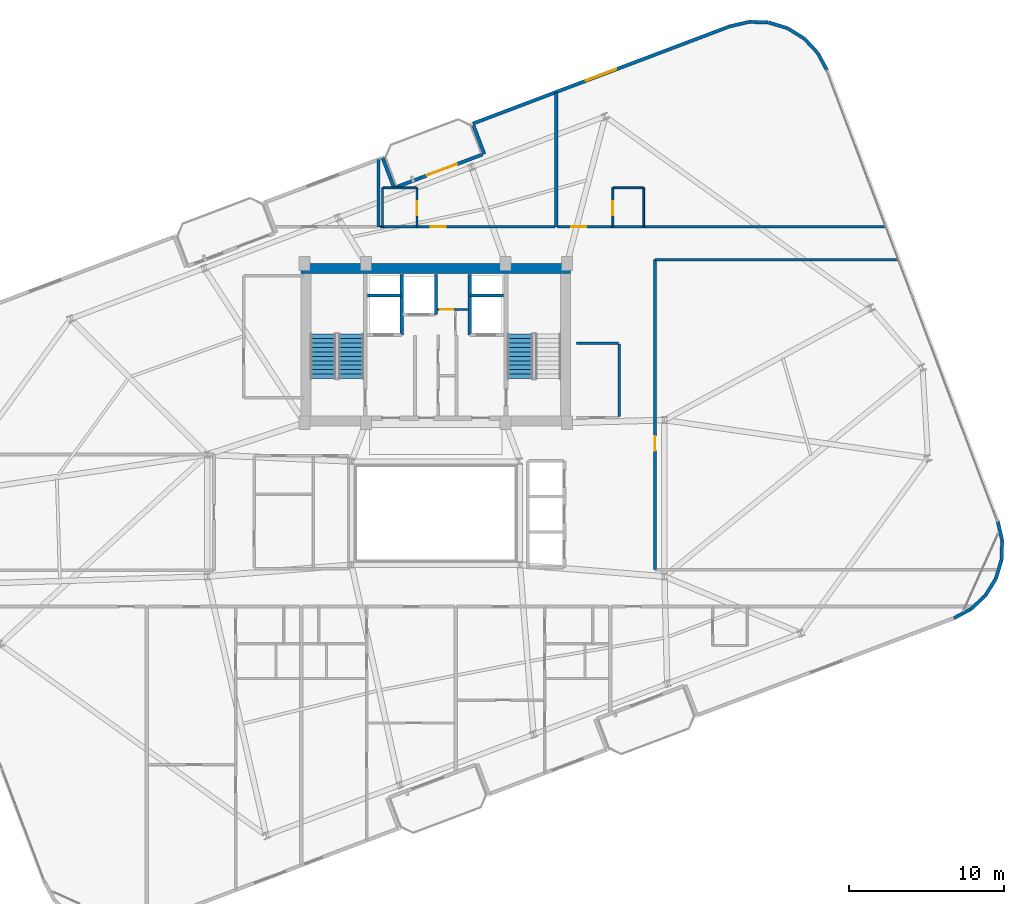
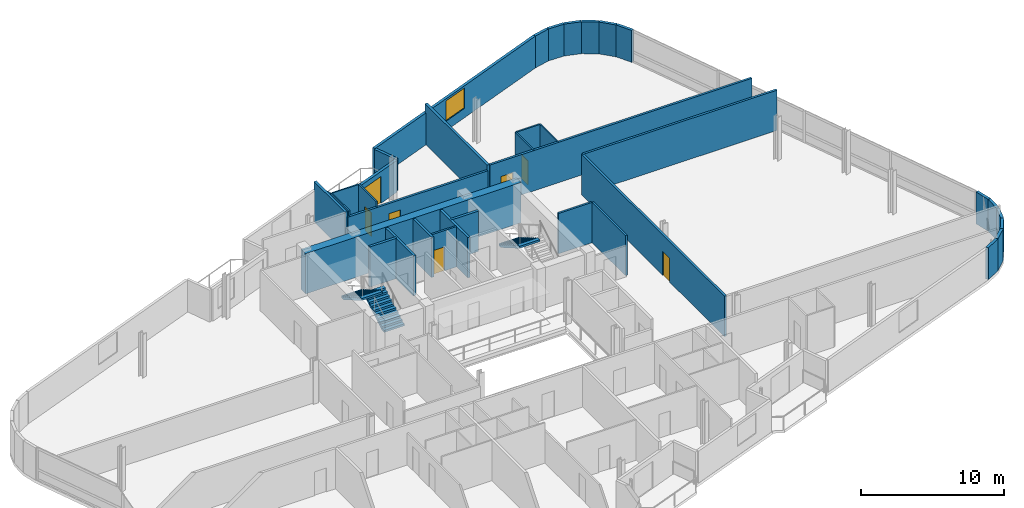
# One storey, part 21 of 24: 37 walls, 7 doors, 3 stair flights, 1 window, 8 openings, 2 elements without a shape of their own.
"""IFC4 building model written with IfcOpenShell, lengths in metres."""

from ifc_helpers import new_model, si_unit, direction, frame, frame_2d, origin, place, context, subcontext, project, spatial, polyline, rectangle, outline, extrude, material, layer, layer_set, type_object, element, fill, aggregate, save


model = new_model("IFC4")

# Units and contexts
model_context = context("Model", 3, precision=1e-05, world=origin(), true_north=direction((0.0, 1.0)))
body_context = subcontext(model_context, "Body", "Model", "MODEL_VIEW")
ifc_project = project(units=[si_unit("LENGTHUNIT", "METRE"), si_unit("AREAUNIT", "SQUARE_METRE"), si_unit("VOLUMEUNIT", "CUBIC_METRE"), si_unit("PLANEANGLEUNIT", "RADIAN"), si_unit("MASSUNIT", "GRAM", prefix="KILO")], contexts=[model_context])

# Site, building, storey
site_placement = place(None, origin())
site = spatial("IfcSite", under=ifc_project, at=site_placement, CompositionType="ELEMENT")
building_placement = place(site_placement, origin())
building = spatial("IfcBuilding", under=site, at=building_placement, Name="Varnelok Gate Tower", CompositionType="ELEMENT")
storey_placement = place(building_placement, frame((0.0, 0.0, 212.699951171875)))
storey = spatial("IfcBuildingStorey", under=building, at=storey_placement, Name="L54", CompositionType="ELEMENT", Elevation=212.699951171875)

# Wall, opening, door
ifc_material_1 = material(Name="Concrete C45/55", Category="concrete")
ifc_layer_1 = layer(ifc_material_1, 0.219970703125)
ifc_layer_set_1 = layer_set([ifc_layer_1], Name="Concrete C45/55")
wall_type_1 = type_object("IfcWallType", Name="EW-BALC-220", PredefinedType="SOLIDWALL", material=ifc_layer_set_1)
wall_1_placement = place(storey_placement, frame((36.61669921875, 43.98583984375, 0.0), z_axis=(0.0, 0.0, 1.0), x_axis=(0.935227640088, 0.354046976001, 0.0)))
wall_1 = element("IfcWall", 1, at=wall_1_placement, inside=storey, type_object=wall_type_1, Name="L54 North Terrace Envelope Wall 4", PredefinedType="SOLIDWALL", context=body_context, shape_type="SweptSolid", body=[
    extrude(rectangle(XDim=6.0, YDim=0.219970703125, at=frame_2d((3.0, 0.0))), origin(), (0.0, 0.0, 1.0), 2.72998046875),
])
opening_1_placement = place(wall_1_placement, frame((2.135986328125, 0.0, 0.0)))
opening_1 = element("IfcOpeningElement", 2, at=opening_1_placement, cuts=wall_1, Name="Opening BD-2", PredefinedType="OPENING", context=body_context, shape_type="SweptSolid", body=[
    extrude(rectangle(XDim=2.10009765625, YDim=2.300048828125, at=frame_2d((1.050048828125, 1.14990234375))), frame((0.0, 0.119873046875, 0.0), z_axis=(0.0, -1.0, 0.0), x_axis=(1.0, 0.0, 0.0)), (0.0, 0.0, 1.0), 0.239990234375),
])
ifc_material_2 = material(Name="Anodized Aluminum Alloy 6063-T6", Category="aluminium")
door_type_1 = type_object("IfcDoorType", Name="DR-EXT-SLID2100", OperationType="SLIDING_TO_LEFT", PredefinedType="DOOR", material=ifc_material_2)
door_1_placement = place(opening_1_placement, origin())
door_1 = element("IfcDoor", 3, at=door_1_placement, inside=storey, type_object=door_type_1, Name="L54 North Balcony Glazed Door 4", OperationType="SLIDING_TO_LEFT", OverallHeight=2.300048828125, OverallWidth=2.10009765625, PredefinedType="DOOR", context=body_context, shape_type="SweptSolid", body=[
    extrude(rectangle(XDim=2.10009765625, YDim=2.300048828125, at=frame_2d((1.050048828125, 1.14990234375))), frame((0.0, 0.02490234375, 0.0), z_axis=(0.0, -1.0, 0.0), x_axis=(1.0, 0.0, 0.0)), (0.0, 0.0, 1.0), 0.050048828125),
])
fill(opening_1, door_1)

# Walls
wall_2_placement = place(storey_placement, frame((72.74560546875, 16.10498046875, 0.0), z_axis=(0.0, 0.0, 1.0), x_axis=(0.881112879796, 0.472906008693, 0.0)))
element("IfcWall", 4, at=wall_2_placement, inside=storey, type_object=wall_type_1, Name="L54 Perimeter Facade Closure Wall 14", PredefinedType="SOLIDWALL", context=body_context, shape_type="SweptSolid", body=[
    extrude(rectangle(XDim=1.256591796875, YDim=0.219970703125, at=frame_2d((0.62841796875, 0.0))), origin(), (0.0, 0.0, 1.0), 2.72998046875),
])
wall_3_placement = place(storey_placement, frame((73.870849609375, 16.716552734375, 0.0), z_axis=(0.0, 0.0, 1.0), x_axis=(0.728475443486, 0.685071914647, 0.0)))
element("IfcWall", 5, at=wall_3_placement, inside=storey, type_object=wall_type_1, Name="L54 Perimeter Facade Closure Wall 15", PredefinedType="SOLIDWALL", context=body_context, shape_type="SweptSolid", body=[
    extrude(rectangle(XDim=1.248779296875, YDim=0.219970703125, at=frame_2d((0.62451171875, 0.0))), origin(), (0.0, 0.0, 1.0), 2.72998046875),
])
for number, where, z_axis, x_axis, name in (
    (6, (74.793701171875, 17.59326171875, 0.0), (0.0, 0.0, 1.0), (0.526549805576, 0.850144283194, 0.0), "L54 Perimeter Facade Closure Wall 16"),
    (7, (75.458251953125, 18.6787109375, 0.0), (0.0, 0.0, 1.0), (0.288406081086, 0.957508189204, 0.0), "L54 Perimeter Facade Closure Wall 17"),
):
    element("IfcWall", number, at=place(storey_placement, frame(where, z_axis=z_axis, x_axis=x_axis)), inside=storey, type_object=wall_type_1, Name=name, PredefinedType="SOLIDWALL", context=body_context, shape_type="SweptSolid", body=[
        extrude(rectangle(XDim=1.24853515625, YDim=0.219970703125, at=frame_2d((0.624267578125, 0.0))), origin(), (0.0, 0.0, 1.0), 2.72998046875),
    ])
wall_4_placement = place(storey_placement, frame((75.819091796875, 19.8994140625, 0.0), z_axis=(0.0, 0.0, 1.0), x_axis=(0.030898954628, 0.999522513305, 0.0)))
element("IfcWall", 8, at=wall_4_placement, inside=storey, type_object=wall_type_1, Name="L54 Perimeter Facade Closure Wall 18", PredefinedType="SOLIDWALL", context=body_context, shape_type="SweptSolid", body=[
    extrude(rectangle(XDim=1.248291015625, YDim=0.219970703125, at=frame_2d((0.6240234375, 0.0))), origin(), (0.0, 0.0, 1.0), 2.72998046875),
])
wall_5_placement = place(storey_placement, frame((75.851806640625, 21.171630859375, 0.0), z_axis=(0.0, 0.0, 1.0), x_axis=(-0.228941257463, 0.973440239887, 0.0)))
element("IfcWall", 9, at=wall_5_placement, inside=storey, type_object=wall_type_1, Name="L54 Perimeter Facade Closure Wall 19", PredefinedType="SOLIDWALL", context=body_context, shape_type="SweptSolid", body=[
    extrude(rectangle(XDim=1.248779296875, YDim=0.219970703125, at=frame_2d((0.62451171875, 0.0))), origin(), (0.0, 0.0, 1.0), 2.72998046875),
])
wall_6_placement = place(storey_placement, frame((64.519287109375, 51.566162109375, 0.0), z_axis=(0.0, 0.0, 1.0), x_axis=(-0.473093575122, 0.881012184466, 0.0)))
element("IfcWall", 10, at=wall_6_placement, inside=storey, type_object=wall_type_1, Name="L54 Perimeter Facade Closure Wall 20", PredefinedType="SOLIDWALL", context=body_context, shape_type="SweptSolid", body=[
    extrude(rectangle(XDim=1.273681640625, YDim=0.219970703125, at=frame_2d((0.63671875, 0.0))), origin(), (0.0, 0.0, 1.0), 2.72998046875),
])
for number, where, z_axis, x_axis, name in (
    (11, (63.8994140625, 52.706298828125, 0.0), (0.0, 0.0, 1.0), (-0.684870565369, 0.728664743686, 0.0), "L54 Perimeter Facade Closure Wall 21"),
    (12, (63.02294921875, 53.629150390625, 0.0), (0.0, 0.0, 1.0), (-0.850198480006, 0.526462291712, 0.0), "L54 Perimeter Facade Closure Wall 22"),
):
    element("IfcWall", number, at=place(storey_placement, frame(where, z_axis=z_axis, x_axis=x_axis)), inside=storey, type_object=wall_type_1, Name=name, PredefinedType="SOLIDWALL", context=body_context, shape_type="SweptSolid", body=[
        extrude(rectangle(XDim=1.248779296875, YDim=0.219970703125, at=frame_2d((0.62451171875, 0.0))), origin(), (0.0, 0.0, 1.0), 2.72998046875),
    ])
for number, where, z_axis, x_axis, name in (
    (13, (61.937255859375, 54.293701171875, 0.0), (0.0, 0.0, 1.0), (-0.957508189204, 0.288406081086, 0.0), "L54 Perimeter Facade Closure Wall 23"),
    (14, (60.716796875, 54.65478515625, 0.0), (0.0, 0.0, 1.0), (-0.999528718359, 0.030697576053, 0.0), "L54 Perimeter Facade Closure Wall 24"),
):
    element("IfcWall", number, at=place(storey_placement, frame(where, z_axis=z_axis, x_axis=x_axis)), inside=storey, type_object=wall_type_1, Name=name, PredefinedType="SOLIDWALL", context=body_context, shape_type="SweptSolid", body=[
        extrude(rectangle(XDim=1.24853515625, YDim=0.219970703125, at=frame_2d((0.624267578125, 0.0))), origin(), (0.0, 0.0, 1.0), 2.72998046875),
    ])
wall_7_placement = place(storey_placement, frame((59.4443359375, 54.6875, 0.0), z_axis=(0.0, 0.0, 1.0), x_axis=(-0.973409523464, -0.229071821989, 0.0)))
element("IfcWall", 15, at=wall_7_placement, inside=storey, type_object=wall_type_1, Name="L54 Perimeter Facade Closure Wall 25", PredefinedType="SOLIDWALL", context=body_context, shape_type="SweptSolid", body=[
    extrude(rectangle(XDim=1.256591796875, YDim=0.219970703125, at=frame_2d((0.62841796875, 0.0))), origin(), (0.0, 0.0, 1.0), 2.72998046875),
])

# Wall, opening, window
wall_8_placement = place(storey_placement, frame((58.19775390625, 54.390869140625, 0.0), z_axis=(0.0, 0.0, 1.0), x_axis=(-0.935223849772, -0.354056988094, 0.0)))
wall_8 = element("IfcWall", 16, at=wall_8_placement, inside=storey, type_object=wall_type_1, Name="L54 Perimeter Facade Closure Wall 26", PredefinedType="SOLIDWALL", context=body_context, shape_type="SweptSolid", body=[
    extrude(rectangle(XDim=17.7470703125, YDim=0.219970703125, at=frame_2d((8.87353515625, 0.0))), origin(), (0.0, 0.0, 1.0), 2.72998046875),
])
opening_2_placement = place(wall_8_placement, frame((7.823486328125, 0.0, 0.800048828125)))
opening_2 = element("IfcOpeningElement", 17, at=opening_2_placement, cuts=wall_8, Name="Opening WN4", PredefinedType="OPENING", context=body_context, shape_type="SweptSolid", body=[
    extrude(rectangle(XDim=2.10009765625, YDim=1.75, at=frame_2d((1.050048828125, 0.875))), frame((0.0, 0.119873046875, 0.0), z_axis=(0.0, -1.0, 0.0), x_axis=(1.0, 0.0, 0.0)), (0.0, 0.0, 1.0), 0.239990234375),
])
ifc_material_3 = material(Name="Low-E Laminated Double Glazing IGU", Category="glass")
window_type = type_object("IfcWindowType", Name="WN-SUI-2100", PartitioningType="SINGLE_PANEL", PredefinedType="WINDOW", material=ifc_material_3)
window_placement = place(opening_2_placement, origin())
window = element("IfcWindow", 18, at=window_placement, inside=storey, type_object=window_type, Name="L54 Perimeter Vision Window 26", OverallHeight=1.75, OverallWidth=2.10009765625, PartitioningType="SINGLE_PANEL", PredefinedType="WINDOW", context=body_context, shape_type="SweptSolid", body=[
    extrude(rectangle(XDim=2.10009765625, YDim=1.75, at=frame_2d((1.050048828125, 0.875))), frame((0.0, 0.030029296875, 0.0), z_axis=(0.0, -1.0, 0.0), x_axis=(1.0, 0.0, 0.0)), (0.0, 0.0, 1.0), 0.06005859375),
])
fill(opening_2, window)

# Walls
wall_9_placement = place(storey_placement, frame((41.64453125, 47.990478515625, 0.0), z_axis=(0.0, 0.0, 1.0), x_axis=(0.354020680661, -0.935237594232, 0.0)))
element("IfcWall", 19, at=wall_9_placement, inside=storey, type_object=wall_type_1, Name="L54 Perimeter Facade Closure Wall 27", PredefinedType="SOLIDWALL", context=body_context, shape_type="SweptSolid", body=[
    extrude(rectangle(XDim=1.97509765625, YDim=0.219970703125, at=frame_2d((0.987548828125, 0.0))), origin(), (0.0, 0.0, 1.0), 2.72998046875),
])
wall_10_placement = place(storey_placement, frame((36.508056640625, 43.93408203125, 0.0), z_axis=(0.0, 0.0, 1.0), x_axis=(-0.354128469405, 0.935196785258, 0.0)))
element("IfcWall", 20, at=wall_10_placement, inside=storey, type_object=wall_type_1, Name="L54 Perimeter Facade Closure Wall 28", PredefinedType="SOLIDWALL", context=body_context, shape_type="SweptSolid", body=[
    extrude(rectangle(XDim=2.099853515625, YDim=0.219970703125, at=frame_2d((1.0498046875, 0.0))), origin(), (0.0, 0.0, 1.0), 2.72998046875),
])

# Wall, opening, door
ifc_material_4 = material(Name="Gypsum Plasterboard Acoustic Partition", Category="gypsum")
ifc_layer_2 = layer(ifc_material_4, 0.179931640625)
ifc_layer_set_2 = layer_set([ifc_layer_2], Name="Gypsum Plasterboard Acoustic Partition")
wall_type_2 = type_object("IfcWallType", Name="PW-CORR-180", PredefinedType="PARTITIONING", material=ifc_layer_set_2)
wall_11_placement = place(storey_placement, frame((35.580078125, 41.429931640625, 0.0), z_axis=(0.0, 0.0, 1.0), x_axis=(1.0, 0.0, 0.0)))
wall_11 = element("IfcWall", 21, at=wall_11_placement, inside=storey, type_object=wall_type_2, Name="Interior Partition", PredefinedType="PARTITIONING", context=body_context, shape_type="SweptSolid", body=[
    extrude(rectangle(XDim=11.33984375, YDim=0.179931640625, at=frame_2d((5.669921875, 0.0))), origin(), (0.0, 0.0, 1.0), 3.01806640625),
])
opening_3_placement = place(wall_11_placement, frame((3.313232421875, 0.0, 0.0)))
opening_3 = element("IfcOpeningElement", 22, at=opening_3_placement, cuts=wall_11, Name="Opening D-HT", PredefinedType="OPENING", context=body_context, shape_type="SweptSolid", body=[
    extrude(rectangle(XDim=0.949951171875, YDim=2.14990234375, at=frame_2d((0.47509765625, 1.074951171875))), frame((0.0, 0.099853515625, 0.0), z_axis=(0.0, -1.0, 0.0), x_axis=(1.0, 0.0, 0.0)), (0.0, 0.0, 1.0), 0.199951171875),
])
ifc_material_5 = material(Name="Engineered Hardwood Timber", Category="wood")
door_type_2 = type_object("IfcDoorType", Name="DR-HTL-950", OperationType="NOTDEFINED", PredefinedType="DOOR", material=ifc_material_5)
door_2_placement = place(opening_3_placement, origin())
door_2 = element("IfcDoor", 23, at=door_2_placement, inside=storey, type_object=door_type_2, Name="L54 Guest Room 07 Entrance Door", OperationType="SINGLE_SWING_RIGHT", OverallHeight=2.14990234375, OverallWidth=0.949951171875, PredefinedType="DOOR", context=body_context, shape_type="SweptSolid", body=[
    extrude(rectangle(XDim=0.949951171875, YDim=2.14990234375, at=frame_2d((0.47509765625, 1.074951171875))), frame((0.0, 0.02490234375, 0.0), z_axis=(0.0, -1.0, 0.0), x_axis=(1.0, 0.0, 0.0)), (0.0, 0.0, 1.0), 0.050048828125),
])
fill(opening_3, door_2)

wall_12_placement = place(storey_placement, frame((47.080078125, 41.429931640625, 0.0), z_axis=(0.0, 0.0, 1.0), x_axis=(1.0, 0.0, 0.0)))
wall_12 = element("IfcWall", 24, at=wall_12_placement, inside=storey, type_object=wall_type_2, Name="Interior Partition", PredefinedType="PARTITIONING", context=body_context, shape_type="SweptSolid", body=[
    extrude(rectangle(XDim=21.21630859375, YDim=0.179931640625, at=frame_2d((10.608154296875, 0.0))), origin(), (0.0, 0.0, 1.0), 3.449951171875),
])
opening_4_placement = place(wall_12_placement, frame((0.901611328125, 0.0, 0.0)))
opening_4 = element("IfcOpeningElement", 25, at=opening_4_placement, cuts=wall_12, Name="Opening D-HT", PredefinedType="OPENING", context=body_context, shape_type="SweptSolid", body=[
    extrude(rectangle(XDim=0.949951171875, YDim=2.14990234375, at=frame_2d((0.47509765625, 1.074951171875))), frame((0.0, 0.099853515625, 0.0), z_axis=(0.0, -1.0, 0.0), x_axis=(1.0, 0.0, 0.0)), (0.0, 0.0, 1.0), 0.199951171875),
])
door_3_placement = place(opening_4_placement, origin())
door_3 = element("IfcDoor", 26, at=door_3_placement, inside=storey, type_object=door_type_2, Name="L54 Guest Room 08 Entrance Door", OperationType="SINGLE_SWING_LEFT", OverallHeight=2.14990234375, OverallWidth=0.949951171875, PredefinedType="DOOR", context=body_context, shape_type="SweptSolid", body=[
    extrude(rectangle(XDim=0.949951171875, YDim=2.14990234375, at=frame_2d((0.47509765625, 1.074951171875))), frame((0.0, 0.02490234375, 0.0), z_axis=(0.0, -1.0, 0.0), x_axis=(1.0, 0.0, 0.0)), (0.0, 0.0, 1.0), 0.050048828125),
])
fill(opening_4, door_3)

wall_13_placement = place(storey_placement, frame((53.389892578125, 19.239990234375, 0.0), z_axis=(0.0, 0.0, 1.0), x_axis=(0.0, 1.0, 0.0)))
wall_13 = element("IfcWall", 27, at=wall_13_placement, inside=storey, type_object=wall_type_2, Name="Interior Partition", PredefinedType="PARTITIONING", context=body_context, shape_type="SweptSolid", body=[
    extrude(rectangle(XDim=20.06005859375, YDim=0.179931640625, at=frame_2d((10.030029296875, 0.0))), origin(), (0.0, 0.0, 1.0), 3.449951171875),
])
opening_5_placement = place(wall_13_placement, frame((7.699951171875, 0.0, 0.0)))
opening_5 = element("IfcOpeningElement", 28, at=opening_5_placement, cuts=wall_13, Name="Opening D-I2", PredefinedType="OPENING", context=body_context, shape_type="SweptSolid", body=[
    extrude(rectangle(XDim=0.949951171875, YDim=2.050048828125, at=frame_2d((0.47509765625, 1.02490234375))), frame((0.0, 0.099853515625, 0.0), z_axis=(0.0, -1.0, 0.0), x_axis=(1.0, 0.0, 0.0)), (0.0, 0.0, 1.0), 0.199951171875),
])
door_type_3 = type_object("IfcDoorType", Name="DR-INT-950", OperationType="NOTDEFINED", PredefinedType="DOOR", material=ifc_material_5)
door_4_placement = place(opening_5_placement, origin())
door_4 = element("IfcDoor", 29, at=door_4_placement, inside=storey, type_object=door_type_3, Name="L54 East Club Door", OperationType="SINGLE_SWING_RIGHT", OverallHeight=2.050048828125, OverallWidth=0.949951171875, PredefinedType="DOOR", context=body_context, shape_type="SweptSolid", body=[
    extrude(rectangle(XDim=0.949951171875, YDim=2.050048828125, at=frame_2d((0.47509765625, 1.02490234375))), frame((0.0, 0.02490234375, 0.0), z_axis=(0.0, -1.0, 0.0), x_axis=(1.0, 0.0, 0.0)), (0.0, 0.0, 1.0), 0.050048828125),
])
fill(opening_5, door_4)

# Walls
wall_14_placement = place(storey_placement, frame((53.389892578125, 39.300048828125, 0.0), z_axis=(0.0, 0.0, 1.0), x_axis=(1.0, 0.0, 0.0)))
element("IfcWall", 30, at=wall_14_placement, inside=storey, type_object=wall_type_2, Name="Interior Partition", PredefinedType="PARTITIONING", context=body_context, shape_type="SweptSolid", body=[
    extrude(rectangle(XDim=15.712890625, YDim=0.179931640625, at=frame_2d((7.8564453125, 0.0))), origin(), (0.0, 0.0, 1.0), 3.449951171875),
])
ifc_layer_3 = layer(ifc_material_4, 0.114990234375)
ifc_layer_set_3 = layer_set([ifc_layer_3], Name="Gypsum Plasterboard Acoustic Partition")
wall_type_3 = type_object("IfcWallType", Name="PW-ENS-125", PredefinedType="PARTITIONING", material=ifc_layer_set_3)
wall_15_placement = place(storey_placement, frame((35.800048828125, 43.949951171875, 0.0), z_axis=(0.0, 0.0, 1.0), x_axis=(1.0, 0.0, 0.0)))
element("IfcWall", 31, at=wall_15_placement, inside=storey, type_object=wall_type_3, Name="Interior Partition", PredefinedType="PARTITIONING", context=body_context, shape_type="SweptSolid", body=[
    extrude(rectangle(XDim=2.14990234375, YDim=0.114990234375, at=frame_2d((1.074951171875, 0.0))), origin(), (0.0, 0.0, 1.0), 3.449951171875),
])

# Wall, opening, door
wall_16_placement = place(storey_placement, frame((37.989990234375, 41.429931640625, 0.0), z_axis=(0.0, 0.0, 1.0), x_axis=(0.0, 1.0, 0.0)))
wall_16 = element("IfcWall", 32, at=wall_16_placement, inside=storey, type_object=wall_type_3, Name="Interior Partition", PredefinedType="PARTITIONING", context=body_context, shape_type="SweptSolid", body=[
    extrude(rectangle(XDim=2.52001953125, YDim=0.114990234375, at=frame_2d((1.260009765625, 0.0))), origin(), (0.0, 0.0, 1.0), 3.449951171875),
])
opening_6_placement = place(wall_16_placement, frame((0.760009765625, 0.0, 0.0)))
opening_6 = element("IfcOpeningElement", 33, at=opening_6_placement, cuts=wall_16, Name="Opening D-WC", PredefinedType="OPENING", context=body_context, shape_type="SweptSolid", body=[
    extrude(rectangle(XDim=0.89990234375, YDim=2.050048828125, at=frame_2d((0.449951171875, 1.02490234375))), frame((0.0, 0.0673828125, 0.0), z_axis=(0.0, -1.0, 0.0), x_axis=(1.0, 0.0, 0.0)), (0.0, 0.0, 1.0), 0.135009765625),
])
door_type_4 = type_object("IfcDoorType", Name="DR-BATH-900", OperationType="NOTDEFINED", PredefinedType="DOOR", material=ifc_material_5)
door_5_placement = place(opening_6_placement, origin())
door_5 = element("IfcDoor", 34, at=door_5_placement, inside=storey, type_object=door_type_4, Name="L54 North En-Suite 07 Door", OperationType="SINGLE_SWING_RIGHT", OverallHeight=2.050048828125, OverallWidth=0.89990234375, PredefinedType="DOOR", context=body_context, shape_type="SweptSolid", body=[
    extrude(rectangle(XDim=0.89990234375, YDim=2.050048828125, at=frame_2d((0.449951171875, 1.02490234375))), frame((0.0, 0.02490234375, 0.0), z_axis=(0.0, -1.0, 0.0), x_axis=(1.0, 0.0, 0.0)), (0.0, 0.0, 1.0), 0.050048828125),
])
fill(opening_6, door_5)

# Walls
wall_17_placement = place(storey_placement, frame((35.760009765625, 41.429931640625, 0.0), z_axis=(0.0, 0.0, 1.0), x_axis=(0.0, 1.0, 0.0)))
element("IfcWall", 35, at=wall_17_placement, inside=storey, type_object=wall_type_3, Name="Interior Partition", PredefinedType="PARTITIONING", context=body_context, shape_type="SweptSolid", body=[
    extrude(rectangle(XDim=2.52001953125, YDim=0.114990234375, at=frame_2d((1.260009765625, 0.0))), origin(), (0.0, 0.0, 1.0), 3.449951171875),
])
wall_18_placement = place(storey_placement, frame((50.704833984375, 43.949951171875, 0.0), z_axis=(0.0, 0.0, 1.0), x_axis=(1.0, 0.0, 0.0)))
element("IfcWall", 36, at=wall_18_placement, inside=storey, type_object=wall_type_3, Name="Interior Partition", PredefinedType="PARTITIONING", context=body_context, shape_type="SweptSolid", body=[
    extrude(rectangle(XDim=1.915283203125, YDim=0.114990234375, at=frame_2d((0.95751953125, 0.0))), origin(), (0.0, 0.0, 1.0), 3.449951171875),
])

# Wall, opening, door
wall_19_placement = place(storey_placement, frame((50.664794921875, 41.429931640625, 0.0), z_axis=(0.0, 0.0, 1.0), x_axis=(0.0, 1.0, 0.0)))
wall_19 = element("IfcWall", 37, at=wall_19_placement, inside=storey, type_object=wall_type_3, Name="Interior Partition", PredefinedType="PARTITIONING", context=body_context, shape_type="SweptSolid", body=[
    extrude(rectangle(XDim=2.52001953125, YDim=0.114990234375, at=frame_2d((1.260009765625, 0.0))), origin(), (0.0, 0.0, 1.0), 3.449951171875),
])
opening_7_placement = place(wall_19_placement, frame((0.760009765625, 0.0, 0.0)))
opening_7 = element("IfcOpeningElement", 38, at=opening_7_placement, cuts=wall_19, Name="Opening D-WC", PredefinedType="OPENING", context=body_context, shape_type="SweptSolid", body=[
    extrude(rectangle(XDim=0.89990234375, YDim=2.050048828125, at=frame_2d((0.449951171875, 1.02490234375))), frame((0.0, 0.0673828125, 0.0), z_axis=(0.0, -1.0, 0.0), x_axis=(1.0, 0.0, 0.0)), (0.0, 0.0, 1.0), 0.135009765625),
])
door_6_placement = place(opening_7_placement, origin())
door_6 = element("IfcDoor", 39, at=door_6_placement, inside=storey, type_object=door_type_4, Name="L54 North En-Suite 08 Door", OperationType="SINGLE_SWING_LEFT", OverallHeight=2.050048828125, OverallWidth=0.89990234375, PredefinedType="DOOR", context=body_context, shape_type="SweptSolid", body=[
    extrude(rectangle(XDim=0.89990234375, YDim=2.050048828125, at=frame_2d((0.449951171875, 1.02490234375))), frame((0.0, 0.02490234375, 0.0), z_axis=(0.0, -1.0, 0.0), x_axis=(1.0, 0.0, 0.0)), (0.0, 0.0, 1.0), 0.050048828125),
])
fill(opening_7, door_6)

# Wall
wall_20_placement = place(storey_placement, frame((52.659912109375, 41.429931640625, 0.0), z_axis=(0.0, 0.0, 1.0), x_axis=(0.0, 1.0, 0.0)))
element("IfcWall", 40, at=wall_20_placement, inside=storey, type_object=wall_type_3, Name="Interior Partition", PredefinedType="PARTITIONING", context=body_context, shape_type="SweptSolid", body=[
    extrude(rectangle(XDim=2.52001953125, YDim=0.114990234375, at=frame_2d((1.260009765625, 0.0))), origin(), (0.0, 0.0, 1.0), 3.449951171875),
])

# Wall, opening, door
ifc_layer_4 = layer(ifc_material_4, 0.14990234375)
ifc_layer_set_4 = layer_set([ifc_layer_4], Name="Gypsum Plasterboard Acoustic Partition")
wall_type_4 = type_object("IfcWallType", Name="PW-PART-150", PredefinedType="PARTITIONING", material=ifc_layer_set_4)
wall_21_placement = place(storey_placement, frame((39.300048828125, 36.080078125, 0.0), z_axis=(0.0, 0.0, 1.0), x_axis=(1.0, 0.0, 0.0)))
wall_21 = element("IfcWall", 41, at=wall_21_placement, inside=storey, type_object=wall_type_4, Name="L54 Electrical Closet South Wall", PredefinedType="PARTITIONING", context=body_context, shape_type="SweptSolid", body=[
    extrude(rectangle(XDim=2.02001953125, YDim=0.14990234375, at=frame_2d((1.010009765625, 0.0))), origin(), (0.0, 0.0, 1.0), 3.449951171875),
])
opening_8_placement = place(wall_21_placement, frame((0.179931640625, 0.0, 0.0)))
opening_8 = element("IfcOpeningElement", 42, at=opening_8_placement, cuts=wall_21, Name="Opening D-RS", PredefinedType="OPENING", context=body_context, shape_type="SweptSolid", body=[
    extrude(rectangle(XDim=0.85009765625, YDim=2.050048828125, at=frame_2d((0.425048828125, 1.02490234375))), frame((0.0, 0.0849609375, 0.0), z_axis=(0.0, -1.0, 0.0), x_axis=(1.0, 0.0, 0.0)), (0.0, 0.0, 1.0), 0.169921875),
])
ifc_material_6 = material(Name="Galvanized Steel Grade S350GD", Category="steel")
door_type_5 = type_object("IfcDoorType", Name="DR-RISER-850", OperationType="NOTDEFINED", PredefinedType="DOOR", material=ifc_material_6)
door_7_placement = place(opening_8_placement, origin())
door_7 = element("IfcDoor", 43, at=door_7_placement, inside=storey, type_object=door_type_5, Name="L54 Electrical Closet Door", OperationType="SINGLE_SWING_RIGHT", OverallHeight=2.050048828125, OverallWidth=0.85009765625, PredefinedType="DOOR", context=body_context, shape_type="SweptSolid", body=[
    extrude(rectangle(XDim=0.85009765625, YDim=2.050048828125, at=frame_2d((0.425048828125, 1.02490234375))), frame((0.0, 0.02490234375, 0.0), z_axis=(0.0, -1.0, 0.0), x_axis=(1.0, 0.0, 0.0)), (0.0, 0.0, 1.0), 0.050048828125),
])
fill(opening_8, door_7)

# Walls
wall_22_placement = place(storey_placement, frame((48.300048828125, 33.889892578125, 0.0), z_axis=(0.0, 0.0, 1.0), x_axis=(1.0, 0.0, 0.0)))
element("IfcWall", 44, at=wall_22_placement, inside=storey, type_object=wall_type_4, Name="Interior Partition", PredefinedType="PARTITIONING", context=body_context, shape_type="SweptSolid", body=[
    extrude(rectangle(XDim=2.719970703125, YDim=0.14990234375, at=frame_2d((1.35986328125, 0.0))), origin(), (0.0, 0.0, 1.0), 3.449951171875),
])
wall_23_placement = place(storey_placement, frame((51.080078125, 29.139892578125, 0.0), z_axis=(0.0, 0.0, 1.0), x_axis=(0.0, 1.0, 0.0)))
element("IfcWall", 45, at=wall_23_placement, inside=storey, type_object=wall_type_4, Name="Interior Partition", PredefinedType="PARTITIONING", context=body_context, shape_type="SweptSolid", body=[
    extrude(rectangle(XDim=4.690185546875, YDim=0.14990234375, at=frame_2d((2.34521484375, 0.0))), origin(), (0.0, 0.0, 1.0), 3.449951171875),
])
ifc_layer_5 = layer(ifc_material_4, 0.205078125)
ifc_layer_set_5 = layer_set([ifc_layer_5], Name="Gypsum Plasterboard Acoustic Partition")
wall_type_5 = type_object("IfcWallType", Name="PW-PARTY-200", PredefinedType="PARTITIONING", material=ifc_layer_set_5)
wall_24_placement = place(storey_placement, frame((35.5, 41.429931640625, 0.0), z_axis=(0.0, 0.0, 1.0), x_axis=(0.0, 1.0, 0.0)))
element("IfcWall", 46, at=wall_24_placement, inside=storey, type_object=wall_type_5, Name="L54 North Party Wall 1", PredefinedType="PARTITIONING", context=body_context, shape_type="SweptSolid", body=[
    extrude(rectangle(XDim=4.346435546875, YDim=0.205078125, at=frame_2d((2.17333984375, 0.0))), origin(), (0.0, 0.0, 1.0), 3.449951171875),
])
wall_25_placement = place(storey_placement, frame((47.0, 41.429931640625, 0.0), z_axis=(0.0, 0.0, 1.0), x_axis=(0.0, 1.0, 0.0)))
element("IfcWall", 47, at=wall_25_placement, inside=storey, type_object=wall_type_5, Name="L54 North Party Wall 2", PredefinedType="PARTITIONING", context=body_context, shape_type="SweptSolid", body=[
    extrude(rectangle(XDim=8.7001953125, YDim=0.205078125, at=frame_2d((4.35009765625, 0.0))), origin(), (0.0, 0.0, 1.0), 3.449951171875),
])
ifc_material_7 = material(Name="Concrete C35/45", Category="concrete")
ifc_layer_6 = layer(ifc_material_7, 0.199951171875)
ifc_layer_set_6 = layer_set([ifc_layer_6], Name="Concrete C35/45")
wall_type_6 = type_object("IfcWallType", Name="PW-SHAFT-200", PredefinedType="PARTITIONING", material=ifc_layer_set_6)
wall_26_placement = place(storey_placement, frame((34.800048828125, 36.97998046875, 0.0), z_axis=(0.0, 0.0, 1.0), x_axis=(1.0, 0.0, 0.0)))
element("IfcWall", 48, at=wall_26_placement, inside=storey, type_object=wall_type_6, Name="L54 FF1 Shaft North Wall", PredefinedType="PARTITIONING", context=body_context, shape_type="SweptSolid", body=[
    extrude(rectangle(XDim=2.179931640625, YDim=0.199951171875, at=frame_2d((1.08984375, 0.0))), origin(), (0.0, 0.0, 1.0), 3.449951171875),
])
wall_27_placement = place(storey_placement, frame((37.0, 34.43994140625, 0.0), z_axis=(0.0, 0.0, 1.0), x_axis=(0.0, 1.0, 0.0)))
element("IfcWall", 49, at=wall_27_placement, inside=storey, type_object=wall_type_6, Name="L54 FF1 Shaft Side Wall", PredefinedType="PARTITIONING", context=body_context, shape_type="SweptSolid", body=[
    extrude(rectangle(XDim=3.900146484375, YDim=0.199951171875, at=frame_2d((1.9501953125, 0.0))), origin(), (0.0, 0.0, 1.0), 3.449951171875),
])
wall_28_placement = place(storey_placement, frame((41.419921875, 36.97998046875, 0.0), z_axis=(0.0, 0.0, 1.0), x_axis=(1.0, 0.0, 0.0)))
element("IfcWall", 50, at=wall_28_placement, inside=storey, type_object=wall_type_6, Name="L54 FF2 Shaft North Wall", PredefinedType="PARTITIONING", context=body_context, shape_type="SweptSolid", body=[
    extrude(rectangle(XDim=2.18017578125, YDim=0.199951171875, at=frame_2d((1.090087890625, 0.0))), origin(), (0.0, 0.0, 1.0), 3.449951171875),
])
wall_29_placement = place(storey_placement, frame((41.39990234375, 34.43994140625, 0.0), z_axis=(0.0, 0.0, 1.0), x_axis=(0.0, 1.0, 0.0)))
element("IfcWall", 51, at=wall_29_placement, inside=storey, type_object=wall_type_6, Name="L54 FF2 Shaft Side Wall", PredefinedType="PARTITIONING", context=body_context, shape_type="SweptSolid", body=[
    extrude(rectangle(XDim=3.900146484375, YDim=0.199951171875, at=frame_2d((1.9501953125, 0.0))), origin(), (0.0, 0.0, 1.0), 3.449951171875),
])
wall_30_placement = place(storey_placement, frame((39.219970703125, 35.75, 0.0), z_axis=(0.0, 0.0, 1.0), x_axis=(0.0, 1.0, 0.0)))
element("IfcWall", 52, at=wall_30_placement, inside=storey, type_object=wall_type_6, Name="L54 SV1 Shaft East Wall", PredefinedType="PARTITIONING", context=body_context, shape_type="SweptSolid", body=[
    extrude(rectangle(XDim=2.590087890625, YDim=0.199951171875, at=frame_2d((1.294921875, 0.0))), origin(), (0.0, 0.0, 1.0), 3.449951171875),
])
ifc_material_8 = material(Name="Concrete C60/75", Category="concrete")
ifc_layer_7 = layer(ifc_material_8, 0.64990234375)
ifc_layer_set_7 = layer_set([ifc_layer_7], Name="Concrete C60/75")
wall_type_7 = type_object("IfcWallType", Name="SW-CORE-650", PredefinedType="SHEAR", material=ifc_layer_set_7)
wall_31_placement = place(storey_placement, frame((30.47998046875, 38.7451171875, 0.0), z_axis=(0.0, 0.0, 1.0), x_axis=(1.0, 0.0, 0.0)))
element("IfcWall", 53, at=wall_31_placement, inside=storey, type_object=wall_type_7, Name="L54 Rear Core North Shear Wall", PredefinedType="SHEAR", context=body_context, shape_type="SweptSolid", body=[
    extrude(rectangle(XDim=17.43994140625, YDim=0.64990234375, at=frame_2d((8.719970703125, 0.0))), origin(), (0.0, 0.0, 1.0), 3.449951171875),
])

# Stair, stair flights
ifc_material_9 = material(Name="Concrete C50/60", Category="concrete")
stair_type = type_object("IfcStairType", Name="STR-CORE-1650", PredefinedType="HALF_TURN_STAIR", material=ifc_material_9)
stair_1_placement = place(storey_placement, origin())
stair_1 = element("IfcStair", 54, at=stair_1_placement, inside=storey, type_object=stair_type, Name="L54 Exit Stair ST-1", PredefinedType="HALF_TURN_STAIR")
stair_flight_type = type_object("IfcStairFlightType", Name="SFL-CORE-1650", PredefinedType="STRAIGHT", material=ifc_material_9)
stair_flight_1_placement = place(storey_placement, frame((33.72509765625, 31.60009765625, 0.0), z_axis=(0.0, 0.0, 1.0), x_axis=(0.0, 1.0, 0.0)))
stair_flight_1 = element("IfcStairFlight", 55, at=stair_flight_1_placement, type_object=stair_flight_type, Name="ST-1 flight 1", NumberOfRisers=11, NumberOfTreads=10, PredefinedType="STRAIGHT", RiserHeight=0.168181818, TreadLength=0.29, context=body_context, shape_type="SweptSolid", body=[
    extrude(outline(polyline([(0.0, 0.0), (0.0, 0.168212890625), (0.2900390625, 0.168212890625), (0.2900390625, 0.33642578125), (0.580078125, 0.33642578125), (0.580078125, 0.504638671875), (0.8701171875, 0.504638671875), (0.8701171875, 0.672607421875), (1.159912109375, 0.672607421875), (1.159912109375, 0.8408203125), (1.449951171875, 0.8408203125), (1.449951171875, 1.009033203125), (1.739990234375, 1.009033203125), (1.739990234375, 1.17724609375), (2.030029296875, 1.17724609375), (2.030029296875, 1.345458984375), (2.320068359375, 1.345458984375), (2.320068359375, 1.513671875), (2.610107421875, 1.513671875), (2.610107421875, 1.681884765625), (2.89990234375, 1.681884765625), (2.89990234375, 1.85009765625), (2.89990234375, 1.508544921875), (0.298828125, 0.0), (0.0, 0.0)])), frame((0.0, 0.824951171875, 0.0), z_axis=(0.0, -1.0, 0.0), x_axis=(1.0, 0.0, 0.0)), (0.0, 0.0, 1.0), 1.64990234375),
])
stair_flight_2_placement = place(storey_placement, frame((31.925048828125, 34.5, 1.85009765625), z_axis=(0.0, 0.0, 1.0), x_axis=(0.0, -1.0, 0.0)))
stair_flight_2 = element("IfcStairFlight", 56, at=stair_flight_2_placement, type_object=stair_flight_type, Name="ST-1 flight 2", NumberOfRisers=11, NumberOfTreads=10, PredefinedType="STRAIGHT", RiserHeight=0.168181818, TreadLength=0.29, context=body_context, shape_type="SweptSolid", body=[
    extrude(outline(polyline([(0.0, 0.0), (0.0, 0.168212890625), (0.2900390625, 0.168212890625), (0.2900390625, 0.33642578125), (0.580078125, 0.33642578125), (0.580078125, 0.504638671875), (0.8701171875, 0.504638671875), (0.8701171875, 0.672607421875), (1.159912109375, 0.672607421875), (1.159912109375, 0.8408203125), (1.449951171875, 0.8408203125), (1.449951171875, 1.009033203125), (1.739990234375, 1.009033203125), (1.739990234375, 1.17724609375), (2.030029296875, 1.17724609375), (2.030029296875, 1.345458984375), (2.320068359375, 1.345458984375), (2.320068359375, 1.513671875), (2.610107421875, 1.513671875), (2.610107421875, 1.681884765625), (2.89990234375, 1.681884765625), (2.89990234375, 1.85009765625), (2.89990234375, 1.508544921875), (0.298828125, 0.0), (0.0, 0.0)])), frame((0.0, 0.824951171875, 0.0), z_axis=(0.0, -1.0, 0.0), x_axis=(1.0, 0.0, 0.0)), (0.0, 0.0, 1.0), 1.64990234375),
])
aggregate(stair_1, [stair_flight_1, stair_flight_2])

# Stair, stair flight
stair_2_placement = place(storey_placement, origin())
stair_2 = element("IfcStair", 57, at=stair_2_placement, inside=storey, type_object=stair_type, Name="L54 Exit Stair ST-2", PredefinedType="HALF_TURN_STAIR")
stair_flight_3_placement = place(storey_placement, frame((44.675048828125, 34.5, 1.85009765625), z_axis=(0.0, 0.0, 1.0), x_axis=(0.0, -1.0, 0.0)))
stair_flight_3 = element("IfcStairFlight", 58, at=stair_flight_3_placement, type_object=stair_flight_type, Name="ST-2 flight 2", NumberOfRisers=11, NumberOfTreads=10, PredefinedType="STRAIGHT", RiserHeight=0.168181818, TreadLength=0.29, context=body_context, shape_type="SweptSolid", body=[
    extrude(outline(polyline([(0.0, 0.0), (0.0, 0.168212890625), (0.2900390625, 0.168212890625), (0.2900390625, 0.33642578125), (0.580078125, 0.33642578125), (0.580078125, 0.504638671875), (0.8701171875, 0.504638671875), (0.8701171875, 0.672607421875), (1.159912109375, 0.672607421875), (1.159912109375, 0.8408203125), (1.449951171875, 0.8408203125), (1.449951171875, 1.009033203125), (1.739990234375, 1.009033203125), (1.739990234375, 1.17724609375), (2.030029296875, 1.17724609375), (2.030029296875, 1.345458984375), (2.320068359375, 1.345458984375), (2.320068359375, 1.513671875), (2.610107421875, 1.513671875), (2.610107421875, 1.681884765625), (2.89990234375, 1.681884765625), (2.89990234375, 1.85009765625), (2.89990234375, 1.508544921875), (0.298828125, 0.0), (0.0, 0.0)])), frame((0.0, 0.824951171875, 0.0), z_axis=(0.0, -1.0, 0.0), x_axis=(1.0, 0.0, 0.0)), (0.0, 0.0, 1.0), 1.64990234375),
])
aggregate(stair_2, [stair_flight_3])

save(model, "model.ifc")
